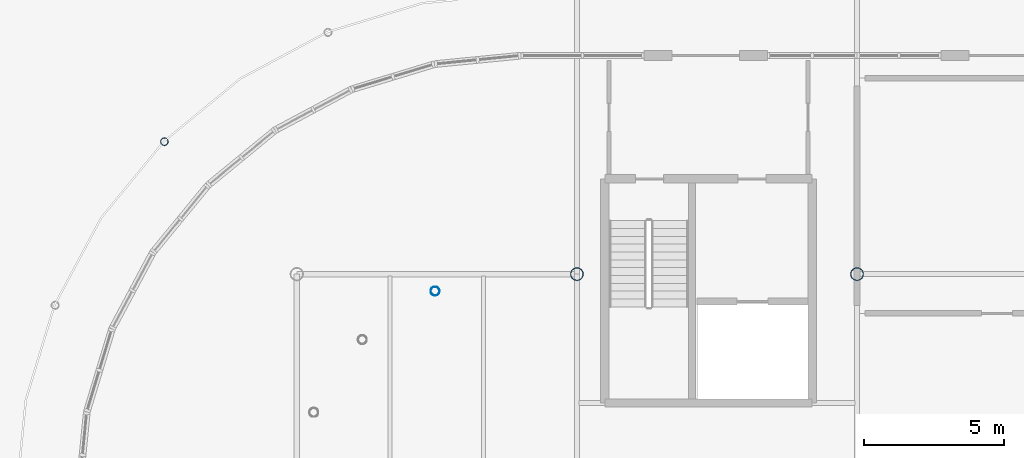
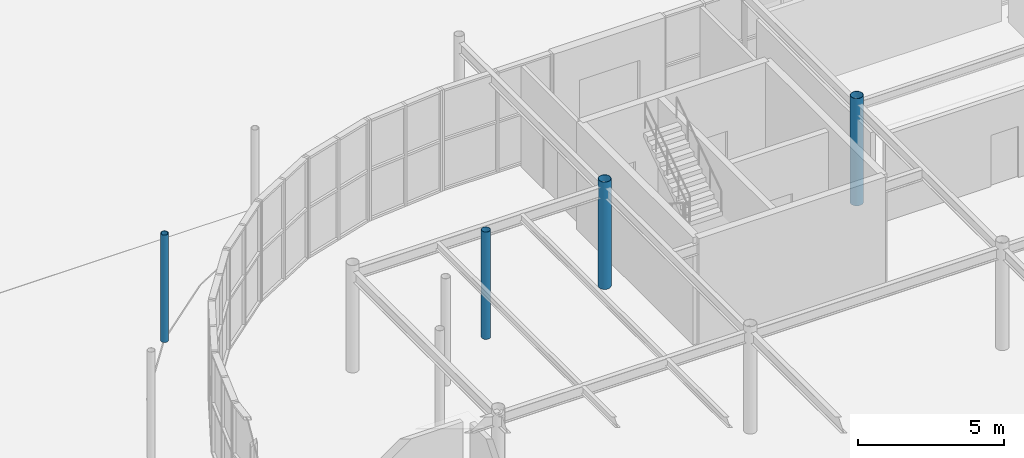
# One storey, part 11 of 119: 4 columns.
"""IFC4 building model written with IfcOpenShell, lengths in metres."""

from ifc_helpers import new_model, si_unit, derived_unit, direction, frame, origin, origin_2d_with_axis, place, context, subcontext, project, spatial, hollow_circle, extrude, material, material_profile, profile_set, type_object, element, save


model = new_model("IFC4")

# Units and contexts
model_context = context("Model", 3, precision=1e-05, world=origin(), true_north=direction((0.0, 1.0)))
body_context = subcontext(model_context, "Body", "Model", "MODEL_VIEW")
ifc_project = project(units=[si_unit("LENGTHUNIT", "METRE"), si_unit("AREAUNIT", "SQUARE_METRE"), si_unit("VOLUMEUNIT", "CUBIC_METRE"), si_unit("PLANEANGLEUNIT", "RADIAN"), si_unit("MASSUNIT", "GRAM", prefix="KILO"), derived_unit("THERMALTRANSMITTANCEUNIT", [(si_unit("POWERUNIT", "WATT"), 1), (si_unit("LENGTHUNIT", "METRE"), -2), (si_unit("THERMODYNAMICTEMPERATUREUNIT", "KELVIN"), -1)])], contexts=[model_context])

# Site, building, storey
site_placement = place(None, origin())
site = spatial("IfcSite", under=ifc_project, at=site_placement, CompositionType="ELEMENT")
building_placement = place(site_placement, origin())
building = spatial("IfcBuilding", under=site, at=building_placement, Name="Cinnabar Yard Market Hall", CompositionType="ELEMENT")
storey_placement = place(building_placement, origin())
storey = spatial("IfcBuildingStorey", under=building, at=storey_placement, Name="L00", CompositionType="ELEMENT", Elevation=0.0)

# Columns
ifc_material = material(Name="Spotted-gum glulam-clad steel Grade 350 (350 MPa)", Category="steel")
ifc_material_profile_1 = material_profile(ifc_material, hollow_circle(Radius=0.228515625, WallThickness=0.0126953125, at=origin_2d_with_axis()), Name="457.0x12.7CHS")
ifc_profile_set_1 = profile_set([ifc_material_profile_1], Name="Spotted-gum glulam-clad steel Grade 350 (350 MPa)")
column_type_1 = type_object("IfcColumnType", Name="COL-C01", PredefinedType="COLUMN", material=ifc_profile_set_1)
for number, where, z_axis, x_axis, name in (
    (1, (86.0, 64.0, 0.0), (0.0, 0.0, 1.0), (1.0, 0.0, 0.0), "Tree Column V1I-02-05 L00"),
    (2, (96.0, 64.0, 0.0), (0.0, 0.0, 1.0), (1.0, 0.0, 0.0), "Tree Column V1I-03-05 L00"),
):
    element("IfcColumn", number, at=place(storey_placement, frame(where, z_axis=z_axis, x_axis=x_axis)), inside=storey, type_object=column_type_1, Name=name, PredefinedType="COLUMN", context=body_context, shape_type="SweptSolid", body=[
        extrude(hollow_circle(Radius=0.228515625, WallThickness=0.0126953125, at=origin_2d_with_axis()), origin(), (0.0, 0.0, 1.0), 4.5),
    ])
ifc_material_profile_2 = material_profile(ifc_material, hollow_circle(Radius=0.161865234375, WallThickness=0.009521484375, at=origin_2d_with_axis()), Name="323.9x9.5CHS")
ifc_profile_set_2 = profile_set([ifc_material_profile_2], Name="Spotted-gum glulam-clad steel Grade 350 (350 MPa)")
column_type_2 = type_object("IfcColumnType", Name="COL-C03", PredefinedType="COLUMN", material=ifc_profile_set_2)
column_1_placement = place(storey_placement, frame((80.9384765625, 63.39111328125, 0.0), z_axis=(0.0, 0.0, 1.0), x_axis=(1.0, 0.0, 0.0)))
element("IfcColumn", 3, at=column_1_placement, inside=storey, type_object=column_type_2, Name="Tree Column V1IC-NW2 L00", PredefinedType="COLUMN", context=body_context, shape_type="SweptSolid", body=[
    extrude(hollow_circle(Radius=0.161865234375, WallThickness=0.009521484375, at=origin_2d_with_axis()), origin(), (0.0, 0.0, 1.0), 4.5),
])
ifc_material_profile_3 = material_profile(ifc_material, hollow_circle(Radius=0.136474609375, WallThickness=0.00927734375, at=origin_2d_with_axis()), Name="273.1x9.3CHS")
ifc_profile_set_3 = profile_set([ifc_material_profile_3], Name="Spotted-gum glulam-clad steel Grade 350 (350 MPa)")
column_type_3 = type_object("IfcColumnType", Name="COL-C04E", PredefinedType="COLUMN", material=ifc_profile_set_3)
column_2_placement = place(storey_placement, frame((71.272216796875, 68.727783203125, 0.0), z_axis=(0.0, 0.0, 1.0), x_axis=(1.0, 0.0, 0.0)))
element("IfcColumn", 4, at=column_2_placement, inside=storey, type_object=column_type_3, Name="Tree Column V1C-NW4 L00", PredefinedType="COLUMN", context=body_context, shape_type="SweptSolid", body=[
    extrude(hollow_circle(Radius=0.136474609375, WallThickness=0.00927734375, at=origin_2d_with_axis()), origin(), (0.0, 0.0, 1.0), 4.5),
])

save(model, "model.ifc")
